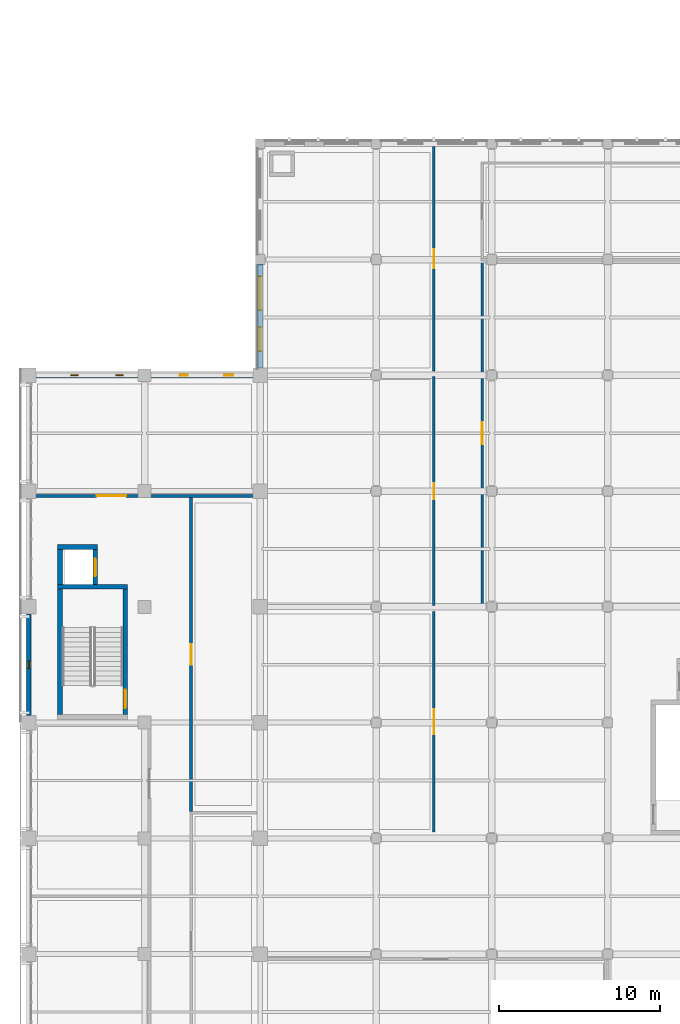
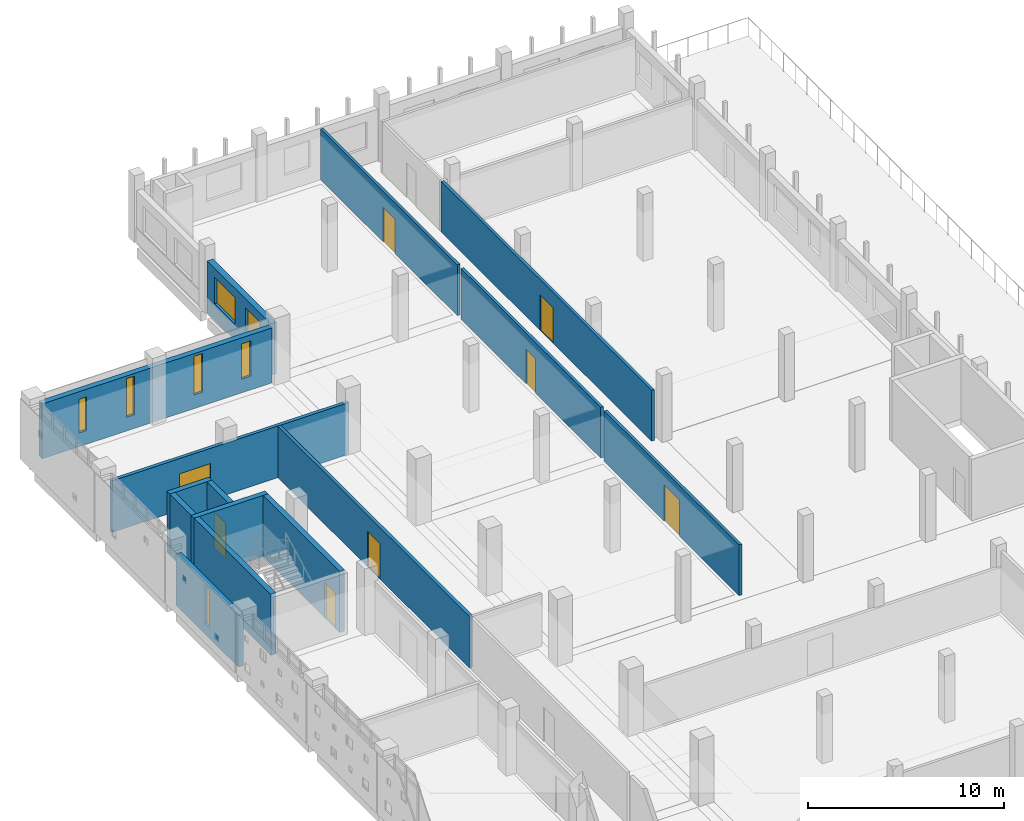
# One storey, part 44 of 62: 15 walls, 8 doors, 7 windows, 15 openings.
"""IFC4 building model written with IfcOpenShell, lengths in metres."""

from ifc_helpers import new_model, si_unit, direction, frame, frame_2d, origin, place, context, subcontext, project, spatial, rectangle, extrude, material, layer, layer_set, type_object, element, fill, save


model = new_model("IFC4")

# Units and contexts
model_context = context("Model", 3, precision=1e-05, world=origin(), true_north=direction((0.0, 1.0)))
body_context = subcontext(model_context, "Body", "Model", "MODEL_VIEW")
ifc_project = project(units=[si_unit("LENGTHUNIT", "METRE"), si_unit("AREAUNIT", "SQUARE_METRE"), si_unit("VOLUMEUNIT", "CUBIC_METRE"), si_unit("PLANEANGLEUNIT", "RADIAN"), si_unit("MASSUNIT", "GRAM", prefix="KILO")], contexts=[model_context])

# Site, building, storey
site_placement = place(None, origin())
site = spatial("IfcSite", under=ifc_project, at=site_placement, CompositionType="ELEMENT")
building_placement = place(site_placement, origin())
building = spatial("IfcBuilding", under=site, at=building_placement, Name="Valkovuoma Quantum and Materials Research Institute", CompositionType="ELEMENT")
storey_placement = place(building_placement, frame((0.0, 0.0, 13.1201171875)))
storey = spatial("IfcBuildingStorey", under=building, at=storey_placement, Name="L03", CompositionType="ELEMENT", Elevation=13.1201171875)

# Walls
ifc_material_1 = material(Name="Concrete C40/50", Category="concrete")
ifc_layer_1 = layer(ifc_material_1, 0.300048828125)
ifc_layer_set_1 = layer_set([ifc_layer_1], Name="Concrete C40/50")
wall_type_1 = type_object("IfcWallType", Name="Wall-W-COR300", PredefinedType="SHEAR", material=ifc_layer_set_1)
wall_1_placement = place(storey_placement, frame((1.800048828125, 80.449951171875, 0.0), z_axis=(0.0, 0.0, 1.0), x_axis=(1.0, 0.0, 0.0)))
element("IfcWall", 1, at=wall_1_placement, inside=storey, type_object=wall_type_1, Name="L03 core wall 0151", PredefinedType="SHEAR", context=body_context, shape_type="SweptSolid", body=[
    extrude(rectangle(XDim=4.349853515625, YDim=0.300048828125, at=frame_2d((2.1748046875, 0.0))), origin(), (0.0, 0.0, 1.0), 3.809814453125),
])
wall_2_placement = place(storey_placement, frame((1.949951171875, 72.5, 0.0), z_axis=(0.0, 0.0, 1.0), x_axis=(0.0, 1.0, 0.0)))
element("IfcWall", 2, at=wall_2_placement, inside=storey, type_object=wall_type_1, Name="L03 core wall 0152", PredefinedType="SHEAR", context=body_context, shape_type="SweptSolid", body=[
    extrude(rectangle(XDim=7.800048828125, YDim=0.300048828125, at=frame_2d((3.89990234375, 0.0))), origin(), (0.0, 0.0, 1.0), 3.809814453125),
])

# Wall, opening, door
wall_3_placement = place(storey_placement, frame((6.0, 72.5, 0.0), z_axis=(0.0, 0.0, 1.0), x_axis=(0.0, 1.0, 0.0)))
wall_3 = element("IfcWall", 3, at=wall_3_placement, inside=storey, type_object=wall_type_1, Name="L03 core wall 0153", PredefinedType="SHEAR", context=body_context, shape_type="SweptSolid", body=[
    extrude(rectangle(XDim=7.800048828125, YDim=0.300048828125, at=frame_2d((3.89990234375, 0.0))), origin(), (0.0, 0.0, 1.0), 3.809814453125),
])
opening_1_placement = place(wall_3_placement, frame((0.39990234375, 0.0, 0.0)))
opening_1 = element("IfcOpeningElement", 4, at=opening_1_placement, cuts=wall_3, Name="Opening SD-027", PredefinedType="OPENING", context=body_context, shape_type="SweptSolid", body=[
    extrude(rectangle(XDim=1.14990234375, YDim=2.199951171875, at=frame_2d((0.574951171875, 1.10009765625))), frame((0.0, 0.16015625, 0.0), z_axis=(0.0, -1.0, 0.0), x_axis=(1.0, 0.0, 0.0)), (0.0, 0.0, 1.0), 0.320068359375),
])
ifc_material_2 = material(Name="Powder-coated steel and acoustic timber door assembly", Category="steel")
door_type_1 = type_object("IfcDoorType", Name="Door-DR-ST60", OperationType="NOTDEFINED", PredefinedType="DOOR", material=ifc_material_2)
door_1_placement = place(opening_1_placement, origin())
door_1 = element("IfcDoor", 5, at=door_1_placement, inside=storey, type_object=door_type_1, Name="L03 ST-2 fire door", OperationType="SINGLE_SWING_RIGHT", OverallHeight=2.199951171875, OverallWidth=1.14990234375, PredefinedType="DOOR", context=body_context, shape_type="SweptSolid", body=[
    extrude(rectangle(XDim=1.14990234375, YDim=2.199951171875, at=frame_2d((0.574951171875, 1.10009765625))), frame((0.0, 0.02490234375, 0.0), z_axis=(0.0, -1.0, 0.0), x_axis=(1.0, 0.0, 0.0)), (0.0, 0.0, 1.0), 0.050048828125),
])
fill(opening_1, door_1)

# Walls
wall_4_placement = place(storey_placement, frame((1.800048828125, 82.929931640625, 0.0), z_axis=(0.0, 0.0, 1.0), x_axis=(1.0, 0.0, 0.0)))
element("IfcWall", 6, at=wall_4_placement, inside=storey, type_object=wall_type_1, Name="L03 core wall 0154", PredefinedType="SHEAR", context=body_context, shape_type="SweptSolid", body=[
    extrude(rectangle(XDim=2.47998046875, YDim=0.300048828125, at=frame_2d((1.239990234375, 0.0))), origin(), (0.0, 0.0, 1.0), 3.809814453125),
])
wall_5_placement = place(storey_placement, frame((1.949951171875, 80.60009765625, 0.0), z_axis=(0.0, 0.0, 1.0), x_axis=(0.0, 1.0, 0.0)))
element("IfcWall", 7, at=wall_5_placement, inside=storey, type_object=wall_type_1, Name="L03 core wall 0155", PredefinedType="SHEAR", context=body_context, shape_type="SweptSolid", body=[
    extrude(rectangle(XDim=2.179931640625, YDim=0.300048828125, at=frame_2d((1.08984375, 0.0))), origin(), (0.0, 0.0, 1.0), 3.809814453125),
])

# Wall, opening, door
wall_6_placement = place(storey_placement, frame((4.1298828125, 80.60009765625, 0.0), z_axis=(0.0, 0.0, 1.0), x_axis=(0.0, 1.0, 0.0)))
wall_6 = element("IfcWall", 8, at=wall_6_placement, inside=storey, type_object=wall_type_1, Name="L03 core wall 0156", PredefinedType="SHEAR", context=body_context, shape_type="SweptSolid", body=[
    extrude(rectangle(XDim=2.179931640625, YDim=0.300048828125, at=frame_2d((1.08984375, 0.0))), origin(), (0.0, 0.0, 1.0), 3.809814453125),
])
opening_2_placement = place(wall_6_placement, frame((0.5, 0.0, 0.0)))
opening_2 = element("IfcOpeningElement", 9, at=opening_2_placement, cuts=wall_6, Name="Opening LD-027", PredefinedType="OPENING", context=body_context, shape_type="SweptSolid", body=[
    extrude(rectangle(XDim=1.10009765625, YDim=2.199951171875, at=frame_2d((0.550048828125, 1.10009765625))), frame((0.0, 0.16015625, 0.0), z_axis=(0.0, -1.0, 0.0), x_axis=(1.0, 0.0, 0.0)), (0.0, 0.0, 1.0), 0.320068359375),
])
ifc_material_3 = material(Name="Powder-coated steel and acoustic timber door assembly", Category="steel")
door_type_2 = type_object("IfcDoorType", Name="Door-DR-LD01", OperationType="NOTDEFINED", PredefinedType="DOOR", material=ifc_material_3)
door_2_placement = place(opening_2_placement, origin())
door_2 = element("IfcDoor", 10, at=door_2_placement, inside=storey, type_object=door_type_2, Name="L03 LIFT-P2 sliding landing door", OperationType="SLIDING_TO_LEFT", OverallHeight=2.199951171875, OverallWidth=1.10009765625, PredefinedType="DOOR", context=body_context, shape_type="SweptSolid", body=[
    extrude(rectangle(XDim=1.10009765625, YDim=2.199951171875, at=frame_2d((0.550048828125, 1.10009765625))), frame((0.0, 0.02490234375, 0.0), z_axis=(0.0, -1.0, 0.0), x_axis=(1.0, 0.0, 0.0)), (0.0, 0.0, 1.0), 0.050048828125),
])
fill(opening_2, door_2)

# Wall, opening, window
ifc_material_4 = material(Name="Precast concrete C40/50", Category="concrete")
ifc_layer_2 = layer(ifc_material_4, 0.300048828125)
ifc_layer_set_2 = layer_set([ifc_layer_2], Name="Precast concrete C40/50")
wall_type_2 = type_object("IfcWallType", Name="Wall-W-EXT300", PredefinedType="SOLIDWALL", material=ifc_layer_set_2)
wall_7_placement = place(storey_placement, frame((0.0, 72.43994140625, 0.0), z_axis=(0.0, 0.0, 1.0), x_axis=(0.0, 1.0, 0.0)))
wall_7 = element("IfcWall", 11, at=wall_7_placement, inside=storey, type_object=wall_type_2, Name="L03 exterior wall 0043", PredefinedType="SOLIDWALL", context=body_context, shape_type="SweptSolid", body=[
    extrude(rectangle(XDim=6.320068359375, YDim=0.300048828125, at=frame_2d((3.16015625, 0.0))), origin(), (0.0, 0.0, 1.0), 3.2099609375),
])
opening_3_placement = place(wall_7_placement, frame((2.93505859375, 0.0, 0.64990234375)))
opening_3 = element("IfcOpeningElement", 12, at=opening_3_placement, cuts=wall_7, Name="Opening WN-SL01", PredefinedType="OPENING", context=body_context, shape_type="SweptSolid", body=[
    extrude(rectangle(XDim=0.449951171875, YDim=2.39990234375, at=frame_2d((0.22509765625, 1.199951171875))), frame((0.0, 0.16015625, 0.0), z_axis=(0.0, -1.0, 0.0), x_axis=(1.0, 0.0, 0.0)), (0.0, 0.0, 1.0), 0.320068359375),
])
ifc_material_5 = material(Name="Triple low-E argon glazing in thermally broken aluminium frame", Category="aluminium")
window_type_1 = type_object("IfcWindowType", Name="Win-WN-SL01", PartitioningType="SINGLE_PANEL", PredefinedType="WINDOW", material=ifc_material_5)
window_1_placement = place(opening_3_placement, origin())
window_1 = element("IfcWindow", 13, at=window_1_placement, inside=storey, type_object=window_type_1, Name="L03 window 0023", OverallHeight=2.39990234375, OverallWidth=0.449951171875, PartitioningType="SINGLE_PANEL", PredefinedType="WINDOW", context=body_context, shape_type="SweptSolid", body=[
    extrude(rectangle(XDim=0.449951171875, YDim=2.39990234375, at=frame_2d((0.22509765625, 1.199951171875))), frame((0.0, 0.030029296875, 0.0), z_axis=(0.0, -1.0, 0.0), x_axis=(1.0, 0.0, 0.0)), (0.0, 0.0, 1.0), 0.06005859375),
])
fill(opening_3, window_1)

# Wall, openings, windows
ifc_material_6 = material(Name="Precast concrete C40/50", Category="concrete")
ifc_layer_3 = layer(ifc_material_6, 0.320068359375)
ifc_layer_set_3 = layer_set([ifc_layer_3], Name="Precast concrete C40/50")
wall_type_3 = type_object("IfcWallType", Name="Wall-W-EXT320", PredefinedType="SOLIDWALL", material=ifc_layer_set_3)
wall_8_placement = place(storey_placement, frame((0.43994140625, 93.60009765625, 0.0), z_axis=(0.0, 0.0, 1.0), x_axis=(1.0, 0.0, 0.0)))
wall_8 = element("IfcWall", 14, at=wall_8_placement, inside=storey, type_object=wall_type_3, Name="L03 exterior wall 0041", PredefinedType="SOLIDWALL", context=body_context, shape_type="SweptSolid", body=[
    extrude(rectangle(XDim=13.52001953125, YDim=0.320068359375, at=frame_2d((6.760009765625, 0.0))), origin(), (0.0, 0.0, 1.0), 3.419921875),
])
opening_4_placement = place(wall_8_placement, frame((2.175048828125, 0.0, 0.85009765625)))
opening_4 = element("IfcOpeningElement", 15, at=opening_4_placement, cuts=wall_8, Name="Opening WN-SL04", PredefinedType="OPENING", context=body_context, shape_type="SweptSolid", body=[
    extrude(rectangle(XDim=0.449951171875, YDim=2.10009765625, at=frame_2d((0.22509765625, 1.050048828125))), frame((0.0, 0.169921875, 0.0), z_axis=(0.0, -1.0, 0.0), x_axis=(1.0, 0.0, 0.0)), (0.0, 0.0, 1.0), 0.340087890625),
])
opening_5_placement = place(wall_8_placement, frame((4.97509765625, 0.0, 0.85009765625)))
opening_5 = element("IfcOpeningElement", 16, at=opening_5_placement, cuts=wall_8, Name="Opening WN-SL01", PredefinedType="OPENING", context=body_context, shape_type="SweptSolid", body=[
    extrude(rectangle(XDim=0.449951171875, YDim=2.39990234375, at=frame_2d((0.22509765625, 1.199951171875))), frame((0.0, 0.169921875, 0.0), z_axis=(0.0, -1.0, 0.0), x_axis=(1.0, 0.0, 0.0)), (0.0, 0.0, 1.0), 0.340087890625),
])
opening_6_placement = place(wall_8_placement, frame((8.949951171875, 0.0, 0.85009765625)))
opening_6 = element("IfcOpeningElement", 17, at=opening_6_placement, cuts=wall_8, Name="Opening WN-SL02", PredefinedType="OPENING", context=body_context, shape_type="SweptSolid", body=[
    extrude(rectangle(XDim=0.5, YDim=2.39990234375, at=frame_2d((0.25, 1.199951171875))), frame((0.0, 0.169921875, 0.0), z_axis=(0.0, -1.0, 0.0), x_axis=(1.0, 0.0, 0.0)), (0.0, 0.0, 1.0), 0.340087890625),
])
opening_7_placement = place(wall_8_placement, frame((11.72509765625, 0.0, 0.85009765625)))
opening_7 = element("IfcOpeningElement", 18, at=opening_7_placement, cuts=wall_8, Name="Opening WN-SL03", PredefinedType="OPENING", context=body_context, shape_type="SweptSolid", body=[
    extrude(rectangle(XDim=0.550048828125, YDim=2.199951171875, at=frame_2d((0.27490234375, 1.10009765625))), frame((0.0, 0.169921875, 0.0), z_axis=(0.0, -1.0, 0.0), x_axis=(1.0, 0.0, 0.0)), (0.0, 0.0, 1.0), 0.340087890625),
])
window_2_placement = place(opening_5_placement, origin())
window_2 = element("IfcWindow", 19, at=window_2_placement, inside=storey, type_object=window_type_1, Name="L03 window 0020", OverallHeight=2.39990234375, OverallWidth=0.449951171875, PartitioningType="SINGLE_PANEL", PredefinedType="WINDOW", context=body_context, shape_type="SweptSolid", body=[
    extrude(rectangle(XDim=0.449951171875, YDim=2.39990234375, at=frame_2d((0.22509765625, 1.199951171875))), frame((0.0, 0.030029296875, 0.0), z_axis=(0.0, -1.0, 0.0), x_axis=(1.0, 0.0, 0.0)), (0.0, 0.0, 1.0), 0.06005859375),
])
fill(opening_5, window_2)
ifc_material_7 = material(Name="Triple low-E argon glazing in thermally broken aluminium frame", Category="aluminium")
window_type_2 = type_object("IfcWindowType", Name="Win-WN-SL02", PartitioningType="SINGLE_PANEL", PredefinedType="WINDOW", material=ifc_material_7)
window_3_placement = place(opening_6_placement, origin())
window_3 = element("IfcWindow", 20, at=window_3_placement, inside=storey, type_object=window_type_2, Name="L03 window 0021", OverallHeight=2.39990234375, OverallWidth=0.5, PartitioningType="SINGLE_PANEL", PredefinedType="WINDOW", context=body_context, shape_type="SweptSolid", body=[
    extrude(rectangle(XDim=0.5, YDim=2.39990234375, at=frame_2d((0.25, 1.199951171875))), frame((0.0, 0.030029296875, 0.0), z_axis=(0.0, -1.0, 0.0), x_axis=(1.0, 0.0, 0.0)), (0.0, 0.0, 1.0), 0.06005859375),
])
fill(opening_6, window_3)
ifc_material_8 = material(Name="Triple low-E argon glazing in thermally broken aluminium frame", Category="aluminium")
window_type_3 = type_object("IfcWindowType", Name="Win-WN-SL03", PartitioningType="SINGLE_PANEL", PredefinedType="WINDOW", material=ifc_material_8)
window_4_placement = place(opening_7_placement, origin())
window_4 = element("IfcWindow", 21, at=window_4_placement, inside=storey, type_object=window_type_3, Name="L03 window 0022", OverallHeight=2.199951171875, OverallWidth=0.550048828125, PartitioningType="SINGLE_PANEL", PredefinedType="WINDOW", context=body_context, shape_type="SweptSolid", body=[
    extrude(rectangle(XDim=0.550048828125, YDim=2.199951171875, at=frame_2d((0.27490234375, 1.10009765625))), frame((0.0, 0.030029296875, 0.0), z_axis=(0.0, -1.0, 0.0), x_axis=(1.0, 0.0, 0.0)), (0.0, 0.0, 1.0), 0.06005859375),
])
fill(opening_7, window_4)
ifc_material_9 = material(Name="Triple low-E argon glazing in thermally broken aluminium frame", Category="aluminium")
window_type_4 = type_object("IfcWindowType", Name="Win-WN-SL04", PartitioningType="SINGLE_PANEL", PredefinedType="WINDOW", material=ifc_material_9)
window_5_placement = place(opening_4_placement, origin())
window_5 = element("IfcWindow", 22, at=window_5_placement, inside=storey, type_object=window_type_4, Name="L03 window 0019", OverallHeight=2.10009765625, OverallWidth=0.449951171875, PartitioningType="SINGLE_PANEL", PredefinedType="WINDOW", context=body_context, shape_type="SweptSolid", body=[
    extrude(rectangle(XDim=0.449951171875, YDim=2.10009765625, at=frame_2d((0.22509765625, 1.050048828125))), frame((0.0, 0.030029296875, 0.0), z_axis=(0.0, -1.0, 0.0), x_axis=(1.0, 0.0, 0.0)), (0.0, 0.0, 1.0), 0.06005859375),
])
fill(opening_4, window_5)

ifc_material_10 = material(Name="Precast concrete C40/50", Category="concrete")
ifc_layer_4 = layer(ifc_material_10, 0.340087890625)
ifc_layer_set_4 = layer_set([ifc_layer_4], Name="Precast concrete C40/50")
wall_type_4 = type_object("IfcWallType", Name="Wall-W-EXT340", PredefinedType="SOLIDWALL", material=ifc_layer_set_4)
wall_9_placement = place(storey_placement, frame((14.39990234375, 94.0400390625, 0.0), z_axis=(0.0, 0.0, 1.0), x_axis=(0.0, 1.0, 0.0)))
wall_9 = element("IfcWall", 23, at=wall_9_placement, inside=storey, type_object=wall_type_4, Name="L03 exterior wall 0164", PredefinedType="SOLIDWALL", context=body_context, shape_type="SweptSolid", body=[
    extrude(rectangle(XDim=6.469970703125, YDim=0.340087890625, at=frame_2d((3.23486328125, 0.0))), origin(), (0.0, 0.0, 1.0), 3.2099609375),
])
opening_8_placement = place(wall_9_placement, frame((1.0615234375, 0.0, 1.0)))
opening_8 = element("IfcOpeningElement", 24, at=opening_8_placement, cuts=wall_9, Name="Opening WN-CL07", PredefinedType="OPENING", context=body_context, shape_type="SweptSolid", body=[
    extrude(rectangle(XDim=1.5, YDim=1.64990234375, at=frame_2d((0.75, 0.824951171875))), frame((0.0, 0.18017578125, 0.0), z_axis=(0.0, -1.0, 0.0), x_axis=(1.0, 0.0, 0.0)), (0.0, 0.0, 1.0), 0.360107421875),
])
opening_9_placement = place(wall_9_placement, frame((3.6083984375, 0.0, 1.0)))
opening_9 = element("IfcOpeningElement", 25, at=opening_9_placement, cuts=wall_9, Name="Opening WN-CL09", PredefinedType="OPENING", context=body_context, shape_type="SweptSolid", body=[
    extrude(rectangle(XDim=2.10009765625, YDim=1.64990234375, at=frame_2d((1.050048828125, 0.824951171875))), frame((0.0, 0.18017578125, 0.0), z_axis=(0.0, -1.0, 0.0), x_axis=(1.0, 0.0, 0.0)), (0.0, 0.0, 1.0), 0.360107421875),
])
ifc_material_11 = material(Name="Triple low-E argon glazing in thermally broken aluminium frame", Category="aluminium")
window_type_5 = type_object("IfcWindowType", Name="Win-WN-CL07", PartitioningType="SINGLE_PANEL", PredefinedType="WINDOW", material=ifc_material_11)
window_6_placement = place(opening_8_placement, origin())
window_6 = element("IfcWindow", 26, at=window_6_placement, inside=storey, type_object=window_type_5, Name="L03 window 0196", OverallHeight=1.64990234375, OverallWidth=1.5, PartitioningType="SINGLE_PANEL", PredefinedType="WINDOW", context=body_context, shape_type="SweptSolid", body=[
    extrude(rectangle(XDim=1.5, YDim=1.64990234375, at=frame_2d((0.75, 0.824951171875))), frame((0.0, 0.030029296875, 0.0), z_axis=(0.0, -1.0, 0.0), x_axis=(1.0, 0.0, 0.0)), (0.0, 0.0, 1.0), 0.06005859375),
])
fill(opening_8, window_6)
ifc_material_12 = material(Name="Triple low-E argon glazing in thermally broken aluminium frame", Category="aluminium")
window_type_6 = type_object("IfcWindowType", Name="Win-WN-CL09", PartitioningType="SINGLE_PANEL", PredefinedType="WINDOW", material=ifc_material_12)
window_7_placement = place(opening_9_placement, origin())
window_7 = element("IfcWindow", 27, at=window_7_placement, inside=storey, type_object=window_type_6, Name="L03 window 0197", OverallHeight=1.64990234375, OverallWidth=2.10009765625, PartitioningType="SINGLE_PANEL", PredefinedType="WINDOW", context=body_context, shape_type="SweptSolid", body=[
    extrude(rectangle(XDim=2.10009765625, YDim=1.64990234375, at=frame_2d((1.050048828125, 0.824951171875))), frame((0.0, 0.030029296875, 0.0), z_axis=(0.0, -1.0, 0.0), x_axis=(1.0, 0.0, 0.0)), (0.0, 0.0, 1.0), 0.06005859375),
])
fill(opening_9, window_7)

# Wall, opening, door
ifc_material_13 = material(Name="Cleanroom insulated metal-faced partition", Category="masonry")
ifc_layer_5 = layer(ifc_material_13, 0.159912109375)
ifc_layer_set_5 = layer_set([ifc_layer_5], Name="Cleanroom insulated metal-faced partition")
wall_type_5 = type_object("IfcWallType", Name="Wall-W-PRT160", PredefinedType="PARTITIONING", material=ifc_layer_set_5)
wall_10_placement = place(storey_placement, frame((25.199951171875, 65.179931640625, 0.0), z_axis=(0.0, 0.0, 1.0), x_axis=(0.0, 1.0, 0.0)))
wall_10 = element("IfcWall", 28, at=wall_10_placement, inside=storey, type_object=wall_type_5, Name="L03 partition 0163", PredefinedType="PARTITIONING", context=body_context, shape_type="SweptSolid", body=[
    extrude(rectangle(XDim=13.739990234375, YDim=0.159912109375, at=frame_2d((6.8701171875, 0.0))), origin(), (0.0, 0.0, 1.0), 3.159912109375),
])
opening_10_placement = place(wall_10_placement, frame((6.094970703125, 0.0, 0.0)))
opening_10 = element("IfcOpeningElement", 29, at=opening_10_placement, cuts=wall_10, Name="Opening ID-0116", PredefinedType="OPENING", context=body_context, shape_type="SweptSolid", body=[
    extrude(rectangle(XDim=1.550048828125, YDim=2.25, at=frame_2d((0.77490234375, 1.125))), frame((0.0, 0.08984375, 0.0), z_axis=(0.0, -1.0, 0.0), x_axis=(1.0, 0.0, 0.0)), (0.0, 0.0, 1.0), 0.179931640625),
])
ifc_material_14 = material(Name="Powder-coated steel and acoustic timber door assembly", Category="steel")
door_type_3 = type_object("IfcDoorType", Name="Door-DR-CL04", OperationType="NOTDEFINED", PredefinedType="DOOR", material=ifc_material_14)
door_3_placement = place(opening_10_placement, origin())
door_3 = element("IfcDoor", 30, at=door_3_placement, inside=storey, type_object=door_type_3, Name="L03 room door 0116", OperationType="DOUBLE_DOOR_SINGLE_SWING", OverallHeight=2.25, OverallWidth=1.550048828125, PredefinedType="DOOR", context=body_context, shape_type="SweptSolid", body=[
    extrude(rectangle(XDim=1.550048828125, YDim=2.25, at=frame_2d((0.77490234375, 1.125))), frame((0.0, 0.02490234375, 0.0), z_axis=(0.0, -1.0, 0.0), x_axis=(1.0, 0.0, 0.0)), (0.0, 0.0, 1.0), 0.050048828125),
])
fill(opening_10, door_3)

wall_11_placement = place(storey_placement, frame((25.199951171875, 79.280029296875, 0.0), z_axis=(0.0, 0.0, 1.0), x_axis=(0.0, 1.0, 0.0)))
wall_11 = element("IfcWall", 31, at=wall_11_placement, inside=storey, type_object=wall_type_5, Name="L03 partition 0164", PredefinedType="PARTITIONING", context=body_context, shape_type="SweptSolid", body=[
    extrude(rectangle(XDim=14.239990234375, YDim=0.159912109375, at=frame_2d((7.1201171875, 0.0))), origin(), (0.0, 0.0, 1.0), 3.159912109375),
])
opening_11_placement = place(wall_11_placement, frame((6.6201171875, 0.0, 0.0)))
opening_11 = element("IfcOpeningElement", 32, at=opening_11_placement, cuts=wall_11, Name="Opening ID-0117", PredefinedType="OPENING", context=body_context, shape_type="SweptSolid", body=[
    extrude(rectangle(XDim=1.0, YDim=2.14990234375, at=frame_2d((0.5, 1.074951171875))), frame((0.0, 0.08984375, 0.0), z_axis=(0.0, -1.0, 0.0), x_axis=(1.0, 0.0, 0.0)), (0.0, 0.0, 1.0), 0.179931640625),
])
ifc_material_15 = material(Name="Powder-coated steel and acoustic timber door assembly", Category="steel")
door_type_4 = type_object("IfcDoorType", Name="Door-DR-CL01", OperationType="NOTDEFINED", PredefinedType="DOOR", material=ifc_material_15)
door_4_placement = place(opening_11_placement, origin())
door_4 = element("IfcDoor", 33, at=door_4_placement, inside=storey, type_object=door_type_4, Name="L03 room door 0117", OperationType="SINGLE_SWING_RIGHT", OverallHeight=2.14990234375, OverallWidth=1.0, PredefinedType="DOOR", context=body_context, shape_type="SweptSolid", body=[
    extrude(rectangle(XDim=1.0, YDim=2.14990234375, at=frame_2d((0.5, 1.074951171875))), frame((0.0, 0.02490234375, 0.0), z_axis=(0.0, -1.0, 0.0), x_axis=(1.0, 0.0, 0.0)), (0.0, 0.0, 1.0), 0.050048828125),
])
fill(opening_11, door_4)

wall_12_placement = place(storey_placement, frame((25.199951171875, 93.8798828125, 0.0), z_axis=(0.0, 0.0, 1.0), x_axis=(0.0, 1.0, 0.0)))
wall_12 = element("IfcWall", 34, at=wall_12_placement, inside=storey, type_object=wall_type_5, Name="L03 partition 0165", PredefinedType="PARTITIONING", context=body_context, shape_type="SweptSolid", body=[
    extrude(rectangle(XDim=13.9501953125, YDim=0.159912109375, at=frame_2d((6.97509765625, 0.0))), origin(), (0.0, 0.0, 1.0), 3.159912109375),
])
opening_12_placement = place(wall_12_placement, frame((6.375, 0.0, 0.0)))
opening_12 = element("IfcOpeningElement", 35, at=opening_12_placement, cuts=wall_12, Name="Opening ID-0118", PredefinedType="OPENING", context=body_context, shape_type="SweptSolid", body=[
    extrude(rectangle(XDim=1.199951171875, YDim=2.14990234375, at=frame_2d((0.60009765625, 1.074951171875))), frame((0.0, 0.08984375, 0.0), z_axis=(0.0, -1.0, 0.0), x_axis=(1.0, 0.0, 0.0)), (0.0, 0.0, 1.0), 0.179931640625),
])
ifc_material_16 = material(Name="Powder-coated steel and acoustic timber door assembly", Category="steel")
door_type_5 = type_object("IfcDoorType", Name="Door-DR-CL02", OperationType="NOTDEFINED", PredefinedType="DOOR", material=ifc_material_16)
door_5_placement = place(opening_12_placement, origin())
door_5 = element("IfcDoor", 36, at=door_5_placement, inside=storey, type_object=door_type_5, Name="L03 room door 0118", OperationType="SINGLE_SWING_LEFT", OverallHeight=2.14990234375, OverallWidth=1.199951171875, PredefinedType="DOOR", context=body_context, shape_type="SweptSolid", body=[
    extrude(rectangle(XDim=1.199951171875, YDim=2.14990234375, at=frame_2d((0.60009765625, 1.074951171875))), frame((0.0, 0.02490234375, 0.0), z_axis=(0.0, -1.0, 0.0), x_axis=(1.0, 0.0, 0.0)), (0.0, 0.0, 1.0), 0.050048828125),
])
fill(opening_12, door_5)

wall_13_placement = place(storey_placement, frame((28.199951171875, 79.280029296875, 0.0), z_axis=(0.0, 0.0, 1.0), x_axis=(0.0, 1.0, 0.0)))
wall_13 = element("IfcWall", 37, at=wall_13_placement, inside=storey, type_object=wall_type_5, Name="L03 partition 0167", PredefinedType="PARTITIONING", context=body_context, shape_type="SweptSolid", body=[
    extrude(rectangle(XDim=21.43994140625, YDim=0.159912109375, at=frame_2d((10.719970703125, 0.0))), origin(), (0.0, 0.0, 1.0), 3.159912109375),
])
opening_13_placement = place(wall_13_placement, frame((10.044921875, 0.0, 0.0)))
opening_13 = element("IfcOpeningElement", 38, at=opening_13_placement, cuts=wall_13, Name="Opening ID-0119", PredefinedType="OPENING", context=body_context, shape_type="SweptSolid", body=[
    extrude(rectangle(XDim=1.35009765625, YDim=2.199951171875, at=frame_2d((0.675048828125, 1.10009765625))), frame((0.0, 0.08984375, 0.0), z_axis=(0.0, -1.0, 0.0), x_axis=(1.0, 0.0, 0.0)), (0.0, 0.0, 1.0), 0.179931640625),
])
ifc_material_17 = material(Name="Powder-coated steel and acoustic timber door assembly", Category="steel")
door_type_6 = type_object("IfcDoorType", Name="Door-DR-CL03", OperationType="NOTDEFINED", PredefinedType="DOOR", material=ifc_material_17)
door_6_placement = place(opening_13_placement, origin())
door_6 = element("IfcDoor", 39, at=door_6_placement, inside=storey, type_object=door_type_6, Name="L03 room door 0119", OperationType="SINGLE_SWING_RIGHT", OverallHeight=2.199951171875, OverallWidth=1.35009765625, PredefinedType="DOOR", context=body_context, shape_type="SweptSolid", body=[
    extrude(rectangle(XDim=1.35009765625, YDim=2.199951171875, at=frame_2d((0.675048828125, 1.10009765625))), frame((0.0, 0.02490234375, 0.0), z_axis=(0.0, -1.0, 0.0), x_axis=(1.0, 0.0, 0.0)), (0.0, 0.0, 1.0), 0.050048828125),
])
fill(opening_13, door_6)

ifc_material_18 = material(Name="Laboratory fire-rated gypsum partition", Category="masonry")
ifc_layer_6 = layer(ifc_material_18, 0.179931640625)
ifc_layer_set_6 = layer_set([ifc_layer_6], Name="Laboratory fire-rated gypsum partition")
wall_type_6 = type_object("IfcWallType", Name="Wall-W-PRT180", PredefinedType="PARTITIONING", material=ifc_layer_set_6)
wall_14_placement = place(storey_placement, frame((10.10009765625, 66.47509765625, 0.0), z_axis=(0.0, 0.0, 1.0), x_axis=(0.0, 1.0, 0.0)))
wall_14 = element("IfcWall", 40, at=wall_14_placement, inside=storey, type_object=wall_type_6, Name="L03 partition 0154", PredefinedType="PARTITIONING", context=body_context, shape_type="SweptSolid", body=[
    extrude(rectangle(XDim=19.52490234375, YDim=0.179931640625, at=frame_2d((9.762451171875, 0.0))), origin(), (0.0, 0.0, 1.0), 3.2099609375),
])
opening_14_placement = place(wall_14_placement, frame((9.137451171875, 0.0, 0.0)))
opening_14 = element("IfcOpeningElement", 41, at=opening_14_placement, cuts=wall_14, Name="Opening ID-0111", PredefinedType="OPENING", context=body_context, shape_type="SweptSolid", body=[
    extrude(rectangle(XDim=1.25, YDim=2.199951171875, at=frame_2d((0.625, 1.10009765625))), frame((0.0, 0.10009765625, 0.0), z_axis=(0.0, -1.0, 0.0), x_axis=(1.0, 0.0, 0.0)), (0.0, 0.0, 1.0), 0.199951171875),
])
ifc_material_19 = material(Name="Powder-coated steel and acoustic timber door assembly", Category="steel")
door_type_7 = type_object("IfcDoorType", Name="Door-DR-LB03", OperationType="NOTDEFINED", PredefinedType="DOOR", material=ifc_material_19)
door_7_placement = place(opening_14_placement, origin())
door_7 = element("IfcDoor", 42, at=door_7_placement, inside=storey, type_object=door_type_7, Name="L03 room door 0111", OperationType="SINGLE_SWING_RIGHT", OverallHeight=2.199951171875, OverallWidth=1.25, PredefinedType="DOOR", context=body_context, shape_type="SweptSolid", body=[
    extrude(rectangle(XDim=1.25, YDim=2.199951171875, at=frame_2d((0.625, 1.10009765625))), frame((0.0, 0.02490234375, 0.0), z_axis=(0.0, -1.0, 0.0), x_axis=(1.0, 0.0, 0.0)), (0.0, 0.0, 1.0), 0.050048828125),
])
fill(opening_14, door_7)

ifc_material_20 = material(Name="Acoustic double-stud gypsum and mineral wool partition", Category="masonry")
ifc_layer_7 = layer(ifc_material_20, 0.199951171875)
ifc_layer_set_7 = layer_set([ifc_layer_7], Name="Acoustic double-stud gypsum and mineral wool partition")
wall_type_7 = type_object("IfcWallType", Name="Wall-W-PRT200", PredefinedType="PARTITIONING", material=ifc_layer_set_7)
wall_15_placement = place(storey_placement, frame((0.25, 86.10009765625, 0.0), z_axis=(0.0, 0.0, 1.0), x_axis=(1.0, 0.0, 0.0)))
wall_15 = element("IfcWall", 43, at=wall_15_placement, inside=storey, type_object=wall_type_7, Name="L03 partition 0148", PredefinedType="PARTITIONING", context=body_context, shape_type="SweptSolid", body=[
    extrude(rectangle(XDim=13.949951171875, YDim=0.199951171875, at=frame_2d((6.97509765625, 0.0))), origin(), (0.0, 0.0, 1.0), 3.2099609375),
])
opening_15_placement = place(wall_15_placement, frame((3.96240234375, 0.0, 0.0)))
opening_15 = element("IfcOpeningElement", 44, at=opening_15_placement, cuts=wall_15, Name="Opening ID-0107", PredefinedType="OPENING", context=body_context, shape_type="SweptSolid", body=[
    extrude(rectangle(XDim=1.840087890625, YDim=2.260009765625, at=frame_2d((0.919921875, 1.1298828125))), frame((0.0, 0.10986328125, 0.0), z_axis=(0.0, -1.0, 0.0), x_axis=(1.0, 0.0, 0.0)), (0.0, 0.0, 1.0), 0.219970703125),
])
ifc_material_21 = material(Name="Powder-coated steel and acoustic timber door assembly", Category="steel")
door_type_8 = type_object("IfcDoorType", Name="Door-DR-RM19", OperationType="NOTDEFINED", PredefinedType="DOOR", material=ifc_material_21)
door_8_placement = place(opening_15_placement, origin())
door_8 = element("IfcDoor", 45, at=door_8_placement, inside=storey, type_object=door_type_8, Name="L03 room door 0107", OperationType="DOUBLE_DOOR_SINGLE_SWING", OverallHeight=2.260009765625, OverallWidth=1.840087890625, PredefinedType="DOOR", context=body_context, shape_type="SweptSolid", body=[
    extrude(rectangle(XDim=1.840087890625, YDim=2.260009765625, at=frame_2d((0.919921875, 1.1298828125))), frame((0.0, 0.02490234375, 0.0), z_axis=(0.0, -1.0, 0.0), x_axis=(1.0, 0.0, 0.0)), (0.0, 0.0, 1.0), 0.050048828125),
])
fill(opening_15, door_8)

save(model, "model.ifc")
